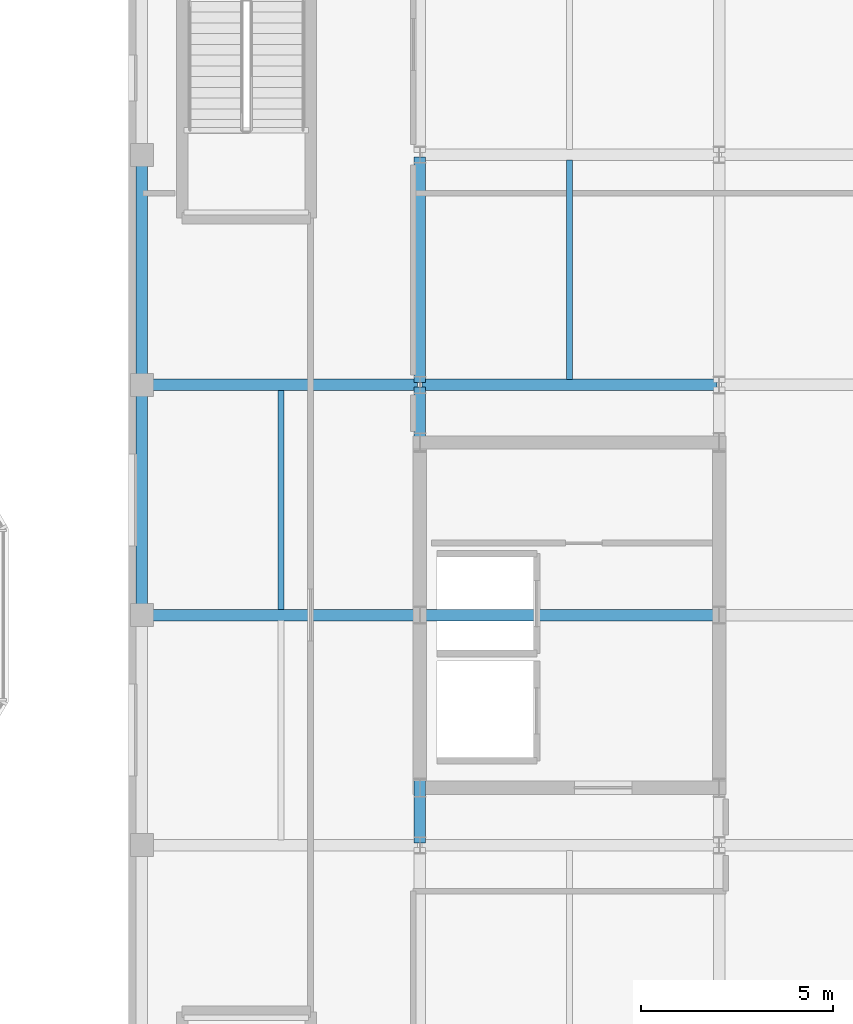
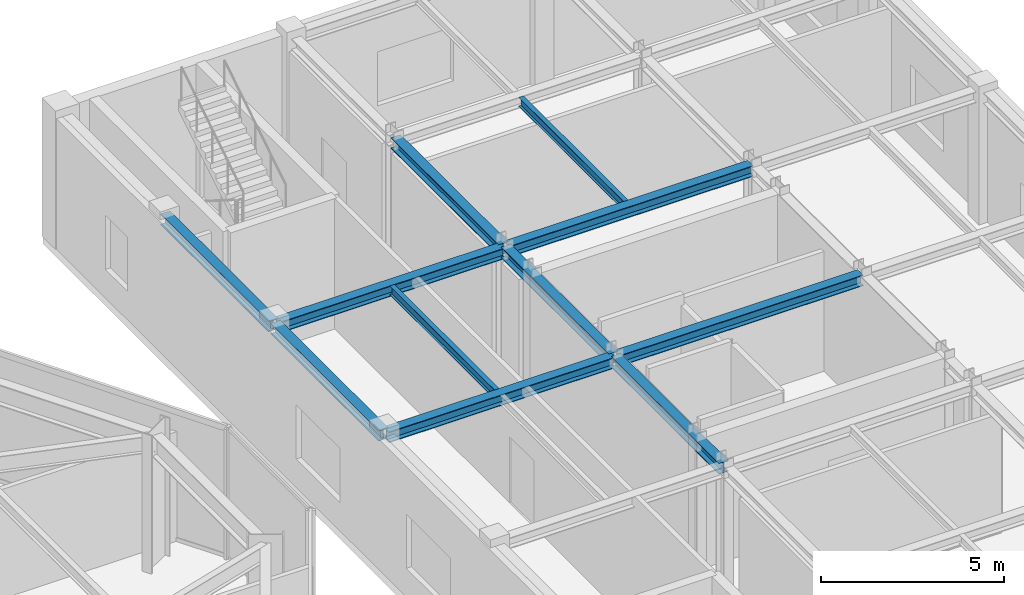
# One storey, part 11 of 23: 11 beams.
"""IFC4 building model written with IfcOpenShell, lengths in metres."""

from ifc_helpers import new_model, si_unit, direction, frame, origin, origin_2d, place, context, subcontext, project, spatial, i_section, extrude, material, material_profile, profile_set, type_object, element, save


model = new_model("IFC4")

# Units and contexts
model_context = context("Model", 3, precision=1e-05, world=origin(), true_north=direction((0.0, 1.0)))
body_context = subcontext(model_context, "Body", "Model", "MODEL_VIEW")
ifc_project = project(units=[si_unit("LENGTHUNIT", "METRE"), si_unit("AREAUNIT", "SQUARE_METRE"), si_unit("VOLUMEUNIT", "CUBIC_METRE"), si_unit("PLANEANGLEUNIT", "RADIAN"), si_unit("MASSUNIT", "GRAM", prefix="KILO")], contexts=[model_context])

# Site, building, storey
site_placement = place(None, origin())
site = spatial("IfcSite", under=ifc_project, at=site_placement, CompositionType="ELEMENT")
building_placement = place(site_placement, origin())
building = spatial("IfcBuilding", under=site, at=building_placement, Name="Kranzbogen Civic Tower", CompositionType="ELEMENT")
storey_placement = place(building_placement, frame((0.0, 0.0, 9.800048828125)))
storey = spatial("IfcBuildingStorey", under=building, at=storey_placement, Name="L02", CompositionType="ELEMENT", Elevation=9.800048828125)

# Beams
ifc_material = material(Name="Steel S355", Category="steel")
ifc_material_profile_1 = material_profile(ifc_material, i_section(OverallWidth=0.300048828125, OverallDepth=0.360107421875, WebThickness=0.012451171875, FlangeThickness=0.0224609375, at=origin_2d()), Name="HEB 360")
ifc_profile_set_1 = profile_set([ifc_material_profile_1], Name="Steel S355")
beam_type_1 = type_object("IfcBeamType", Name="Health Centre Primary Floor Beam HEB 360", PredefinedType="BEAM", material=ifc_profile_set_1)
beam_1_placement = place(storey_placement, frame((52.409912109375, 25.0, 4.159912109375), z_axis=(1.0, 0.0, 0.0), x_axis=(0.0, 1.0, 0.0)))
element("IfcBeam", 1, at=beam_1_placement, inside=storey, type_object=beam_type_1, Name="L02 Health Centre X girder 1-4", PredefinedType="BEAM", context=body_context, shape_type="SweptSolid", body=[
    extrude(i_section(OverallWidth=0.300048828125, OverallDepth=0.360107421875, WebThickness=0.012451171875, FlangeThickness=0.0224609375, at=origin_2d()), origin(), (0.0, 0.0, 1.0), 7.130126953125),
])
beam_2_placement = place(storey_placement, frame((59.659912109375, 25.0, 4.159912109375), z_axis=(1.0, 0.0, 0.0), x_axis=(0.0, 1.0, 0.0)))
element("IfcBeam", 2, at=beam_2_placement, inside=storey, type_object=beam_type_1, Name="L02 Health Centre X girder 2-4", PredefinedType="BEAM", context=body_context, shape_type="SweptSolid", body=[
    extrude(i_section(OverallWidth=0.300048828125, OverallDepth=0.360107421875, WebThickness=0.012451171875, FlangeThickness=0.0224609375, at=origin_2d()), origin(), (0.0, 0.0, 1.0), 7.68017578125),
])
beam_3_placement = place(storey_placement, frame((52.409912109375, 31.0, 4.159912109375), z_axis=(1.0, 0.0, 0.0), x_axis=(0.0, 1.0, 0.0)))
element("IfcBeam", 3, at=beam_3_placement, inside=storey, type_object=beam_type_1, Name="L02 Health Centre X girder 1-5", PredefinedType="BEAM", context=body_context, shape_type="SweptSolid", body=[
    extrude(i_section(OverallWidth=0.300048828125, OverallDepth=0.360107421875, WebThickness=0.012451171875, FlangeThickness=0.0224609375, at=origin_2d()), origin(), (0.0, 0.0, 1.0), 7.130126953125),
])
beam_4_placement = place(storey_placement, frame((59.659912109375, 31.0, 4.159912109375), z_axis=(1.0, 0.0, 0.0), x_axis=(0.0, 1.0, 0.0)))
element("IfcBeam", 4, at=beam_4_placement, inside=storey, type_object=beam_type_1, Name="L02 Health Centre X girder 2-5", PredefinedType="BEAM", context=body_context, shape_type="SweptSolid", body=[
    extrude(i_section(OverallWidth=0.300048828125, OverallDepth=0.360107421875, WebThickness=0.012451171875, FlangeThickness=0.0224609375, at=origin_2d()), origin(), (0.0, 0.0, 1.0), 7.68017578125),
])
for number, where, z_axis, x_axis, name in (
    (5, (59.60009765625, 19.06005859375, 4.159912109375), (0.0, 1.0, 0.0), (-1.0, 0.0, 0.0), "L02 Health Centre Y girder 2-3"),
    (6, (52.35009765625, 25.06005859375, 4.159912109375), (0.0, 1.0, 0.0), (-1.0, 0.0, 0.0), "L02 Health Centre Y girder 1-4"),
    (7, (59.60009765625, 25.06005859375, 4.159912109375), (0.0, 1.0, 0.0), (-1.0, 0.0, 0.0), "L02 Health Centre Y girder 2-4"),
    (8, (52.35009765625, 31.06005859375, 4.159912109375), (0.0, 1.0, 0.0), (-1.0, 0.0, 0.0), "L02 Health Centre Y girder 1-5"),
    (9, (59.60009765625, 31.06005859375, 4.159912109375), (0.0, 1.0, 0.0), (-1.0, 0.0, 0.0), "L02 Health Centre Y girder 2-5"),
):
    element("IfcBeam", number, at=place(storey_placement, frame(where, z_axis=z_axis, x_axis=x_axis)), inside=storey, type_object=beam_type_1, Name=name, PredefinedType="BEAM", context=body_context, shape_type="SweptSolid", body=[
        extrude(i_section(OverallWidth=0.300048828125, OverallDepth=0.360107421875, WebThickness=0.012451171875, FlangeThickness=0.0224609375, at=origin_2d()), origin(), (0.0, 0.0, 1.0), 5.8798828125),
    ])
ifc_material_profile_2 = material_profile(ifc_material, i_section(OverallWidth=0.14990234375, OverallDepth=0.300048828125, WebThickness=0.007080078125, FlangeThickness=0.0107421875, at=origin_2d()), Name="IPE 300")
ifc_profile_set_2 = profile_set([ifc_material_profile_2], Name="Steel S355")
beam_type_2 = type_object("IfcBeamType", Name="Health Centre Secondary Joist IPE 300", PredefinedType="JOIST", material=ifc_profile_set_2)
for number, where, z_axis, x_axis, name in (
    (10, (55.97509765625, 25.139892578125, 4.18994140625), (0.0, 1.0, 0.0), (-1.0, 0.0, 0.0), "L02 Health Centre secondary joist 1-4"),
    (11, (63.5, 31.139892578125, 4.18994140625), (0.0, 1.0, 0.0), (-1.0, 0.0, 0.0), "L02 Health Centre secondary joist 2-5"),
):
    element("IfcBeam", number, at=place(storey_placement, frame(where, z_axis=z_axis, x_axis=x_axis)), inside=storey, type_object=beam_type_2, Name=name, PredefinedType="JOIST", context=body_context, shape_type="SweptSolid", body=[
        extrude(i_section(OverallWidth=0.14990234375, OverallDepth=0.300048828125, WebThickness=0.007080078125, FlangeThickness=0.0107421875, at=origin_2d()), origin(), (0.0, 0.0, 1.0), 5.72021484375),
    ])

save(model, "model.ifc")
